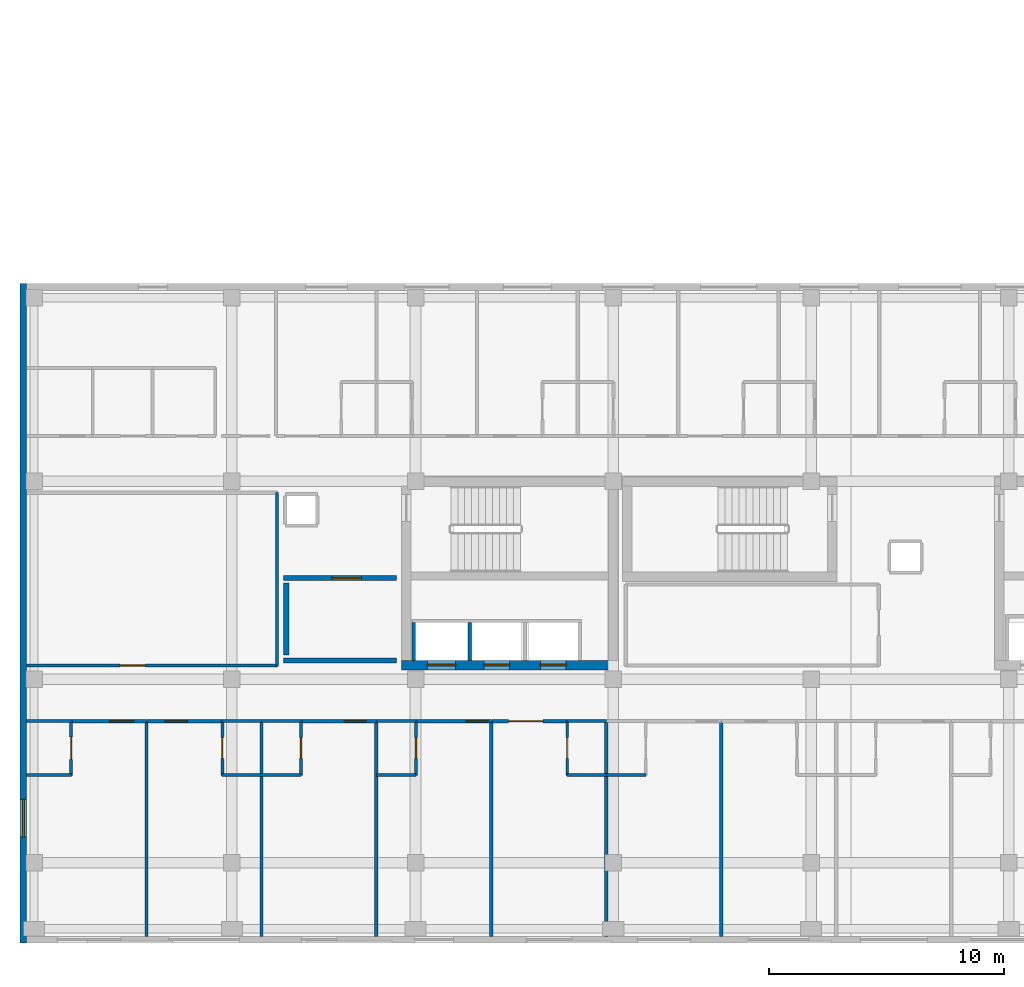
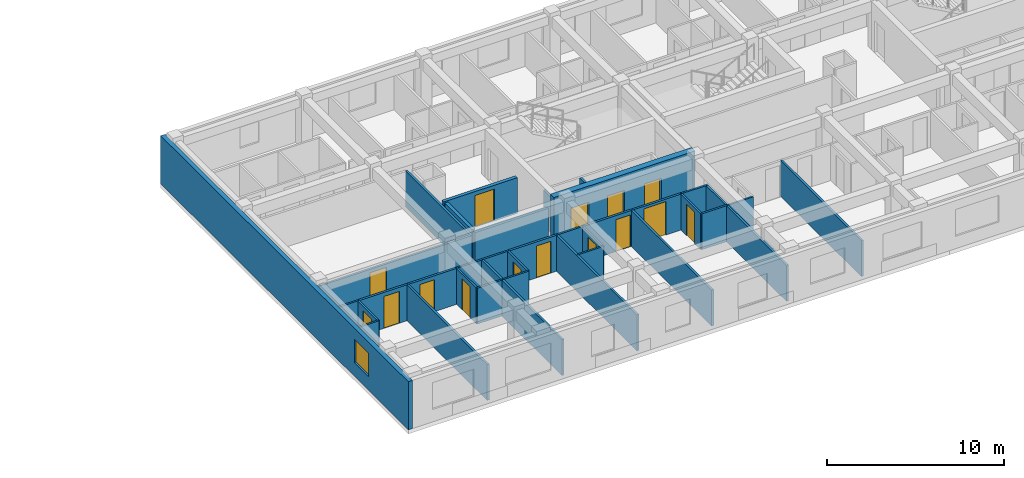
# One storey, part 131 of 144: 36 walls, 15 doors, 1 window, 16 openings.
"""IFC4 building model written with IfcOpenShell, lengths in metres."""

from ifc_helpers import new_model, si_unit, direction, frame, frame_2d, origin, place, context, subcontext, project, spatial, rectangle, extrude, material, layer, layer_set, type_object, element, fill, save


model = new_model("IFC4")

# Units and contexts
model_context = context("Model", 3, precision=1e-05, world=origin(), true_north=direction((0.0, 1.0)))
body_context = subcontext(model_context, "Body", "Model", "MODEL_VIEW")
ifc_project = project(units=[si_unit("LENGTHUNIT", "METRE"), si_unit("AREAUNIT", "SQUARE_METRE"), si_unit("VOLUMEUNIT", "CUBIC_METRE"), si_unit("PLANEANGLEUNIT", "RADIAN"), si_unit("MASSUNIT", "GRAM", prefix="KILO")], contexts=[model_context])

# Site, building, storey
site_placement = place(None, origin())
site = spatial("IfcSite", under=ifc_project, at=site_placement, CompositionType="ELEMENT")
building_placement = place(site_placement, origin())
building = spatial("IfcBuilding", under=site, at=building_placement, Name="Zayran Congress Hotel", CompositionType="ELEMENT")
storey_placement = place(building_placement, frame((0.0, 0.0, 19.199951171875)))
storey = spatial("IfcBuildingStorey", under=building, at=storey_placement, Name="L04", CompositionType="ELEMENT", Elevation=19.199951171875)

# Wall, opening, window
ifc_material_1 = material(Name="Hajar Ma'ani limestone cavity wall and concrete C32/40", Category="masonry")
ifc_layer_1 = layer(ifc_material_1, 0.280029296875)
ifc_layer_set_1 = layer_set([ifc_layer_1], Name="Hajar Ma'ani limestone cavity wall and concrete C32/40")
wall_type_1 = type_object("IfcWallType", Name="WL-EX-280", PredefinedType="SOLIDWALL", material=ifc_layer_set_1)
wall_1_placement = place(storey_placement, frame((8.5400390625, 6.0, 0.0), z_axis=(0.0, 0.0, 1.0), x_axis=(0.0, 1.0, 0.0)))
wall_1 = element("IfcWall", 1, at=wall_1_placement, inside=storey, type_object=wall_type_1, Name="EW-V5-W-L04", PredefinedType="SOLIDWALL", context=body_context, shape_type="SweptSolid", body=[
    extrude(rectangle(XDim=28.0, YDim=0.280029296875, at=frame_2d((14.0, 0.0))), origin(), (0.0, 0.0, 1.0), 3.320068359375),
])
opening_1_placement = place(wall_1_placement, frame((4.5, 0.0, 0.949951171875)))
opening_1 = element("IfcOpeningElement", 2, at=opening_1_placement, cuts=wall_1, Name="Opening WN-15", PredefinedType="OPENING", context=body_context, shape_type="SweptSolid", body=[
    extrude(rectangle(XDim=1.60009765625, YDim=1.60009765625, at=frame_2d((0.800048828125, 0.800048828125))), frame((0.0, 0.14990234375, 0.0), z_axis=(0.0, -1.0, 0.0), x_axis=(1.0, 0.0, 0.0)), (0.0, 0.0, 1.0), 0.300048828125),
])
ifc_material_2 = material(Name="Anodised aluminium and low-E insulated glass", Category="aluminium")
window_type = type_object("IfcWindowType", Name="TP-WN-15", PartitioningType="SINGLE_PANEL", PredefinedType="WINDOW", material=ifc_material_2)
window_placement = place(opening_1_placement, origin())
window = element("IfcWindow", 3, at=window_placement, inside=storey, type_object=window_type, Name="WIN-V5W-L04", OverallHeight=1.60009765625, OverallWidth=1.60009765625, PartitioningType="SINGLE_PANEL", PredefinedType="WINDOW", context=body_context, shape_type="SweptSolid", body=[
    extrude(rectangle(XDim=1.60009765625, YDim=1.60009765625, at=frame_2d((0.800048828125, 0.800048828125))), frame((0.0, 0.030029296875, 0.0), z_axis=(0.0, -1.0, 0.0), x_axis=(1.0, 0.0, 0.0)), (0.0, 0.0, 1.0), 0.06005859375),
])
fill(opening_1, window)

# Wall, openings, doors
ifc_material_3 = material(Name="Concrete C40/50", Category="concrete")
ifc_layer_2 = layer(ifc_material_3, 0.39990234375)
ifc_layer_set_2 = layer_set([ifc_layer_2], Name="Concrete C40/50")
wall_type_2 = type_object("IfcWallType", Name="WL-SH-400", PredefinedType="SHEAR", material=ifc_layer_set_2)
wall_2_placement = place(storey_placement, frame((24.60009765625, 17.800048828125, 0.0), z_axis=(0.0, 0.0, 1.0), x_axis=(1.0, 0.0, 0.0)))
wall_2 = element("IfcWall", 4, at=wall_2_placement, inside=storey, type_object=wall_type_2, Name="CWALL-C-V5W-L04-S", PredefinedType="SHEAR", context=body_context, shape_type="SweptSolid", body=[
    extrude(rectangle(XDim=9.199951171875, YDim=0.39990234375, at=frame_2d((4.60009765625, 0.0))), origin(), (0.0, 0.0, 1.0), 3.320068359375),
])
opening_2_placement = place(wall_2_placement, frame((1.10009765625, 0.0, 0.0)))
opening_2 = element("IfcOpeningElement", 5, at=opening_2_placement, cuts=wall_2, Name="Opening LD-FL01", PredefinedType="OPENING", context=body_context, shape_type="SweptSolid", body=[
    extrude(rectangle(XDim=1.199951171875, YDim=2.199951171875, at=frame_2d((0.60009765625, 1.10009765625))), frame((0.0, 0.2099609375, 0.0), z_axis=(0.0, -1.0, 0.0), x_axis=(1.0, 0.0, 0.0)), (0.0, 0.0, 1.0), 0.419921875),
])
opening_3_placement = place(wall_2_placement, frame((3.5, 0.0, 0.0)))
opening_3 = element("IfcOpeningElement", 6, at=opening_3_placement, cuts=wall_2, Name="Opening LD-PL01", PredefinedType="OPENING", context=body_context, shape_type="SweptSolid", body=[
    extrude(rectangle(XDim=1.10009765625, YDim=2.199951171875, at=frame_2d((0.550048828125, 1.10009765625))), frame((0.0, 0.2099609375, 0.0), z_axis=(0.0, -1.0, 0.0), x_axis=(1.0, 0.0, 0.0)), (0.0, 0.0, 1.0), 0.419921875),
])
opening_4_placement = place(wall_2_placement, frame((5.89990234375, 0.0, 0.0)))
opening_4 = element("IfcOpeningElement", 7, at=opening_4_placement, cuts=wall_2, Name="Opening LD-PL02", PredefinedType="OPENING", context=body_context, shape_type="SweptSolid", body=[
    extrude(rectangle(XDim=1.10009765625, YDim=2.199951171875, at=frame_2d((0.550048828125, 1.10009765625))), frame((0.0, 0.2099609375, 0.0), z_axis=(0.0, -1.0, 0.0), x_axis=(1.0, 0.0, 0.0)), (0.0, 0.0, 1.0), 0.419921875),
])
ifc_material_4 = material(Name="Brushed stainless steel sliding lift landing door", Category="steel")
door_type_1 = type_object("IfcDoorType", Name="TP-DR-LD-01", OperationType="DOUBLE_DOOR_SLIDING", PredefinedType="DOOR", material=ifc_material_4)
door_1_placement = place(opening_3_placement, origin())
door_1 = element("IfcDoor", 8, at=door_1_placement, inside=storey, type_object=door_type_1, Name="Lift PL-01 Sliding Landing Door L04", OperationType="DOUBLE_DOOR_SLIDING", OverallHeight=2.199951171875, OverallWidth=1.10009765625, PredefinedType="DOOR", context=body_context, shape_type="SweptSolid", body=[
    extrude(rectangle(XDim=1.10009765625, YDim=2.199951171875, at=frame_2d((0.550048828125, 1.10009765625))), frame((0.0, 0.02490234375, 0.0), z_axis=(0.0, -1.0, 0.0), x_axis=(1.0, 0.0, 0.0)), (0.0, 0.0, 1.0), 0.050048828125),
])
fill(opening_3, door_1)
door_2_placement = place(opening_4_placement, origin())
door_2 = element("IfcDoor", 9, at=door_2_placement, inside=storey, type_object=door_type_1, Name="Lift PL-02 Sliding Landing Door L04", OperationType="DOUBLE_DOOR_SLIDING", OverallHeight=2.199951171875, OverallWidth=1.10009765625, PredefinedType="DOOR", context=body_context, shape_type="SweptSolid", body=[
    extrude(rectangle(XDim=1.10009765625, YDim=2.199951171875, at=frame_2d((0.550048828125, 1.10009765625))), frame((0.0, 0.02490234375, 0.0), z_axis=(0.0, -1.0, 0.0), x_axis=(1.0, 0.0, 0.0)), (0.0, 0.0, 1.0), 0.050048828125),
])
fill(opening_4, door_2)
ifc_material_5 = material(Name="Brushed stainless steel firefighting lift landing door", Category="steel")
door_type_2 = type_object("IfcDoorType", Name="TP-DR-LD-02", OperationType="DOUBLE_DOOR_SLIDING", PredefinedType="DOOR", material=ifc_material_5)
door_3_placement = place(opening_2_placement, origin())
door_3 = element("IfcDoor", 10, at=door_3_placement, inside=storey, type_object=door_type_2, Name="Lift FL-01 Sliding Landing Door L04", OperationType="DOUBLE_DOOR_SLIDING", OverallHeight=2.199951171875, OverallWidth=1.199951171875, PredefinedType="DOOR", context=body_context, shape_type="SweptSolid", body=[
    extrude(rectangle(XDim=1.199951171875, YDim=2.199951171875, at=frame_2d((0.60009765625, 1.10009765625))), frame((0.0, 0.02490234375, 0.0), z_axis=(0.0, -1.0, 0.0), x_axis=(1.0, 0.0, 0.0)), (0.0, 0.0, 1.0), 0.050048828125),
])
fill(opening_2, door_3)

# Wall
ifc_material_6 = material(Name="Concrete C32/40 fire wall", Category="concrete")
ifc_layer_3 = layer(ifc_material_6, 0.219970703125)
ifc_layer_set_3 = layer_set([ifc_layer_3], Name="Concrete C32/40 fire wall")
wall_type_3 = type_object("IfcWallType", Name="WL-FF-220", PredefinedType="SOLIDWALL", material=ifc_layer_set_3)
wall_3_placement = place(storey_placement, frame((19.60009765625, 18.0, 0.0), z_axis=(0.0, 0.0, 1.0), x_axis=(1.0, 0.0, 0.0)))
element("IfcWall", 11, at=wall_3_placement, inside=storey, type_object=wall_type_3, Name="FFWL-C-V5W-L04-S", PredefinedType="SOLIDWALL", context=body_context, shape_type="SweptSolid", body=[
    extrude(rectangle(XDim=4.7998046875, YDim=0.219970703125, at=frame_2d((2.39990234375, 0.0))), origin(), (0.0, 0.0, 1.0), 2.469970703125),
])

# Wall, opening, door
wall_4_placement = place(storey_placement, frame((19.60009765625, 21.5, 0.0), z_axis=(0.0, 0.0, 1.0), x_axis=(1.0, 0.0, 0.0)))
wall_4 = element("IfcWall", 12, at=wall_4_placement, inside=storey, type_object=wall_type_3, Name="FFWL-C-V5W-L04-N", PredefinedType="SOLIDWALL", context=body_context, shape_type="SweptSolid", body=[
    extrude(rectangle(XDim=4.7998046875, YDim=0.219970703125, at=frame_2d((2.39990234375, 0.0))), origin(), (0.0, 0.0, 1.0), 2.469970703125),
])
opening_5_placement = place(wall_4_placement, frame((2.050048828125, 0.0, 0.0)))
opening_5 = element("IfcOpeningElement", 13, at=opening_5_placement, cuts=wall_4, Name="Opening DR-FF-60", PredefinedType="OPENING", context=body_context, shape_type="SweptSolid", body=[
    extrude(rectangle(XDim=1.25, YDim=2.199951171875, at=frame_2d((0.625, 1.10009765625))), frame((0.0, 0.119873046875, 0.0), z_axis=(0.0, -1.0, 0.0), x_axis=(1.0, 0.0, 0.0)), (0.0, 0.0, 1.0), 0.239990234375),
])
ifc_material_7 = material(Name="Painted steel smoke-seal fire door", Category="steel")
door_type_3 = type_object("IfcDoorType", Name="TP-DR-FF-60", OperationType="NOTDEFINED", PredefinedType="DOOR", material=ifc_material_7)
door_4_placement = place(opening_5_placement, origin())
door_4 = element("IfcDoor", 14, at=door_4_placement, inside=storey, type_object=door_type_3, Name="Firefighting Lift Lobby Door C-V5W L04", OperationType="SINGLE_SWING_RIGHT", OverallHeight=2.199951171875, OverallWidth=1.25, PredefinedType="DOOR", context=body_context, shape_type="SweptSolid", body=[
    extrude(rectangle(XDim=1.25, YDim=2.199951171875, at=frame_2d((0.625, 1.10009765625))), frame((0.0, 0.02490234375, 0.0), z_axis=(0.0, -1.0, 0.0), x_axis=(1.0, 0.0, 0.0)), (0.0, 0.0, 1.0), 0.050048828125),
])
fill(opening_5, door_4)

# Walls
wall_5_placement = place(storey_placement, frame((19.7099609375, 18.219970703125, 0.0), z_axis=(0.0, 0.0, 1.0), x_axis=(0.0, 1.0, 0.0)))
element("IfcWall", 15, at=wall_5_placement, inside=storey, type_object=wall_type_3, Name="FFWL-C-V5W-L04-SD", PredefinedType="SOLIDWALL", context=body_context, shape_type="SweptSolid", body=[
    extrude(rectangle(XDim=3.06005859375, YDim=0.219970703125, at=frame_2d((1.530029296875, 0.0))), origin(), (0.0, 0.0, 1.0), 2.469970703125),
])
ifc_material_8 = material(Name="Hospitality guestroom acoustic partition", Category="gypsum")
ifc_layer_4 = layer(ifc_material_8, 0.139892578125)
ifc_layer_set_4 = layer_set([ifc_layer_4], Name="Hospitality guestroom acoustic partition")
wall_type_4 = type_object("IfcWallType", Name="WL-PT-140", PredefinedType="PARTITIONING", material=ifc_layer_set_4)
for number, where, z_axis, x_axis, name in (
    (16, (25.1298828125, 18.0, 0.0), (0.0, 0.0, 1.0), (0.0, 1.0, 0.0), "LSHW-C-V5W-L04-W"),
    (17, (27.5, 18.0, 0.0), (0.0, 0.0, 1.0), (0.0, 1.0, 0.0), "LSHW-C-V5W-L04-DIV1"),
):
    element("IfcWall", number, at=place(storey_placement, frame(where, z_axis=z_axis, x_axis=x_axis)), inside=storey, type_object=wall_type_4, Name=name, PredefinedType="PARTITIONING", context=body_context, shape_type="SweptSolid", body=[
        extrude(rectangle(XDim=1.60009765625, YDim=0.139892578125, at=frame_2d((0.800048828125, 0.0))), origin(), (0.0, 0.0, 1.0), 2.469970703125),
    ])

# Wall, opening, door
wall_6_placement = place(storey_placement, frame((8.679931640625, 17.780029296875, 0.0), z_axis=(0.0, 0.0, 1.0), x_axis=(1.0, 0.0, 0.0)))
wall_6 = element("IfcWall", 18, at=wall_6_placement, inside=storey, type_object=wall_type_4, Name="IW-L04-0616", PredefinedType="PARTITIONING", context=body_context, shape_type="SweptSolid", body=[
    extrude(rectangle(XDim=10.650146484375, YDim=0.139892578125, at=frame_2d((5.3251953125, 0.0))), origin(), (0.0, 0.0, 1.0), 2.47998046875),
])
opening_6_placement = place(wall_6_placement, frame((3.969970703125, 0.0, 0.0)))
opening_6 = element("IfcOpeningElement", 19, at=opening_6_placement, cuts=wall_6, Name="Opening DR-MT-01", PredefinedType="OPENING", context=body_context, shape_type="SweptSolid", body=[
    extrude(rectangle(XDim=1.080078125, YDim=2.25, at=frame_2d((0.5400390625, 1.125))), frame((0.0, 0.079833984375, 0.0), z_axis=(0.0, -1.0, 0.0), x_axis=(1.0, 0.0, 0.0)), (0.0, 0.0, 1.0), 0.159912109375),
])
ifc_material_9 = material(Name="Acoustic timber seminar room door", Category="wood")
door_type_4 = type_object("IfcDoorType", Name="TP-DR-MT-01", OperationType="NOTDEFINED", PredefinedType="DOOR", material=ifc_material_9)
door_5_placement = place(opening_6_placement, origin())
door_5 = element("IfcDoor", 20, at=door_5_placement, inside=storey, type_object=door_type_4, Name="Delegate Study Salon West L04 Door", OperationType="SINGLE_SWING_LEFT", OverallHeight=2.25, OverallWidth=1.080078125, PredefinedType="DOOR", context=body_context, shape_type="SweptSolid", body=[
    extrude(rectangle(XDim=1.080078125, YDim=2.25, at=frame_2d((0.5400390625, 1.125))), frame((0.0, 0.02490234375, 0.0), z_axis=(0.0, -1.0, 0.0), x_axis=(1.0, 0.0, 0.0)), (0.0, 0.0, 1.0), 0.050048828125),
])
fill(opening_6, door_5)

wall_7_placement = place(storey_placement, frame((10.570068359375, 15.419921875, 0.0), z_axis=(0.0, 0.0, 1.0), x_axis=(1.0, 0.0, 0.0)))
wall_7 = element("IfcWall", 21, at=wall_7_placement, inside=storey, type_object=wall_type_4, Name="IW-L04-0618", PredefinedType="PARTITIONING", context=body_context, shape_type="SweptSolid", body=[
    extrude(rectangle(XDim=3.201904296875, YDim=0.139892578125, at=frame_2d((1.60107421875, 0.0))), origin(), (0.0, 0.0, 1.0), 2.47998046875),
])
opening_7_placement = place(wall_7_placement, frame((1.634033203125, 0.0, 0.0)))
opening_7 = element("IfcOpeningElement", 22, at=opening_7_placement, cuts=wall_7, Name="Opening DR-GR-02", PredefinedType="OPENING", context=body_context, shape_type="SweptSolid", body=[
    extrude(rectangle(XDim=1.02001953125, YDim=2.199951171875, at=frame_2d((0.510009765625, 1.10009765625))), frame((0.0, 0.079833984375, 0.0), z_axis=(0.0, -1.0, 0.0), x_axis=(1.0, 0.0, 0.0)), (0.0, 0.0, 1.0), 0.159912109375),
])
ifc_material_10 = material(Name="Accessible acoustic walnut veneer entry door", Category="wood")
door_type_5 = type_object("IfcDoorType", Name="TP-DR-GR-02", OperationType="NOTDEFINED", PredefinedType="DOOR", material=ifc_material_10)
door_6_placement = place(opening_7_placement, origin())
door_6 = element("IfcDoor", 23, at=door_6_placement, inside=storey, type_object=door_type_5, Name="Accessible Guest Room L04-01 Door", OperationType="SINGLE_SWING_LEFT", OverallHeight=2.199951171875, OverallWidth=1.02001953125, PredefinedType="DOOR", context=body_context, shape_type="SweptSolid", body=[
    extrude(rectangle(XDim=1.02001953125, YDim=2.199951171875, at=frame_2d((0.510009765625, 1.10009765625))), frame((0.0, 0.02490234375, 0.0), z_axis=(0.0, -1.0, 0.0), x_axis=(1.0, 0.0, 0.0)), (0.0, 0.0, 1.0), 0.050048828125),
])
fill(opening_7, door_6)

wall_8_placement = place(storey_placement, frame((13.7919921875, 15.419921875, 0.0), z_axis=(0.0, 0.0, 1.0), x_axis=(1.0, 0.0, 0.0)))
wall_8 = element("IfcWall", 24, at=wall_8_placement, inside=storey, type_object=wall_type_4, Name="IW-L04-0619", PredefinedType="PARTITIONING", context=body_context, shape_type="SweptSolid", body=[
    extrude(rectangle(XDim=3.203125, YDim=0.139892578125, at=frame_2d((1.6015625, 0.0))), origin(), (0.0, 0.0, 1.0), 2.47998046875),
])
opening_8_placement = place(wall_8_placement, frame((0.777099609375, 0.0, 0.0)))
opening_8 = element("IfcOpeningElement", 25, at=opening_8_placement, cuts=wall_8, Name="Opening DR-GR-01", PredefinedType="OPENING", context=body_context, shape_type="SweptSolid", body=[
    extrude(rectangle(XDim=0.93994140625, YDim=2.199951171875, at=frame_2d((0.469970703125, 1.10009765625))), frame((0.0, 0.079833984375, 0.0), z_axis=(0.0, -1.0, 0.0), x_axis=(1.0, 0.0, 0.0)), (0.0, 0.0, 1.0), 0.159912109375),
])
ifc_material_11 = material(Name="Acoustic walnut veneer fire-rated entry door", Category="wood")
door_type_6 = type_object("IfcDoorType", Name="TP-DR-GR-01", OperationType="NOTDEFINED", PredefinedType="DOOR", material=ifc_material_11)
door_7_placement = place(opening_8_placement, origin())
door_7 = element("IfcDoor", 26, at=door_7_placement, inside=storey, type_object=door_type_6, Name="Guest Room L04-02 Door", OperationType="SINGLE_SWING_RIGHT", OverallHeight=2.199951171875, OverallWidth=0.93994140625, PredefinedType="DOOR", context=body_context, shape_type="SweptSolid", body=[
    extrude(rectangle(XDim=0.93994140625, YDim=2.199951171875, at=frame_2d((0.469970703125, 1.10009765625))), frame((0.0, 0.02490234375, 0.0), z_axis=(0.0, -1.0, 0.0), x_axis=(1.0, 0.0, 0.0)), (0.0, 0.0, 1.0), 0.050048828125),
])
fill(opening_8, door_7)

wall_9_placement = place(storey_placement, frame((20.3349609375, 15.419921875, 0.0), z_axis=(0.0, 0.0, 1.0), x_axis=(1.0, 0.0, 0.0)))
wall_9 = element("IfcWall", 27, at=wall_9_placement, inside=storey, type_object=wall_type_4, Name="IW-L04-0620", PredefinedType="PARTITIONING", context=body_context, shape_type="SweptSolid", body=[
    extrude(rectangle(XDim=3.2021484375, YDim=0.139892578125, at=frame_2d((1.60107421875, 0.0))), origin(), (0.0, 0.0, 1.0), 2.47998046875),
])
opening_9_placement = place(wall_9_placement, frame((1.839111328125, 0.0, 0.0)))
opening_9 = element("IfcOpeningElement", 28, at=opening_9_placement, cuts=wall_9, Name="Opening DR-GR-01", PredefinedType="OPENING", context=body_context, shape_type="SweptSolid", body=[
    extrude(rectangle(XDim=0.93994140625, YDim=2.199951171875, at=frame_2d((0.469970703125, 1.10009765625))), frame((0.0, 0.079833984375, 0.0), z_axis=(0.0, -1.0, 0.0), x_axis=(1.0, 0.0, 0.0)), (0.0, 0.0, 1.0), 0.159912109375),
])
door_8_placement = place(opening_9_placement, origin())
door_8 = element("IfcDoor", 29, at=door_8_placement, inside=storey, type_object=door_type_6, Name="Guest Room L04-03 Door", OperationType="SINGLE_SWING_LEFT", OverallHeight=2.199951171875, OverallWidth=0.93994140625, PredefinedType="DOOR", context=body_context, shape_type="SweptSolid", body=[
    extrude(rectangle(XDim=0.93994140625, YDim=2.199951171875, at=frame_2d((0.469970703125, 1.10009765625))), frame((0.0, 0.02490234375, 0.0), z_axis=(0.0, -1.0, 0.0), x_axis=(1.0, 0.0, 0.0)), (0.0, 0.0, 1.0), 0.050048828125),
])
fill(opening_9, door_8)

wall_10_placement = place(storey_placement, frame((25.217041015625, 15.419921875, 0.0), z_axis=(0.0, 0.0, 1.0), x_axis=(1.0, 0.0, 0.0)))
wall_10 = element("IfcWall", 30, at=wall_10_placement, inside=storey, type_object=wall_type_4, Name="IW-L04-0621", PredefinedType="PARTITIONING", context=body_context, shape_type="SweptSolid", body=[
    extrude(rectangle(XDim=3.201904296875, YDim=0.139892578125, at=frame_2d((1.60107421875, 0.0))), origin(), (0.0, 0.0, 1.0), 2.47998046875),
])
opening_10_placement = place(wall_10_placement, frame((2.1220703125, 0.0, 0.0)))
opening_10 = element("IfcOpeningElement", 31, at=opening_10_placement, cuts=wall_10, Name="Opening DR-GR-01", PredefinedType="OPENING", context=body_context, shape_type="SweptSolid", body=[
    extrude(rectangle(XDim=0.93994140625, YDim=2.199951171875, at=frame_2d((0.469970703125, 1.10009765625))), frame((0.0, 0.079833984375, 0.0), z_axis=(0.0, -1.0, 0.0), x_axis=(1.0, 0.0, 0.0)), (0.0, 0.0, 1.0), 0.159912109375),
])
door_9_placement = place(opening_10_placement, origin())
door_9 = element("IfcDoor", 32, at=door_9_placement, inside=storey, type_object=door_type_6, Name="Guest Room L04-04 Door", OperationType="SINGLE_SWING_RIGHT", OverallHeight=2.199951171875, OverallWidth=0.93994140625, PredefinedType="DOOR", context=body_context, shape_type="SweptSolid", body=[
    extrude(rectangle(XDim=0.93994140625, YDim=2.199951171875, at=frame_2d((0.469970703125, 1.10009765625))), frame((0.0, 0.02490234375, 0.0), z_axis=(0.0, -1.0, 0.0), x_axis=(1.0, 0.0, 0.0)), (0.0, 0.0, 1.0), 0.050048828125),
])
fill(opening_10, door_9)

wall_11_placement = place(storey_placement, frame((28.43896484375, 15.419921875, 0.0), z_axis=(0.0, 0.0, 1.0), x_axis=(1.0, 0.0, 0.0)))
wall_11 = element("IfcWall", 33, at=wall_11_placement, inside=storey, type_object=wall_type_4, Name="IW-L04-0622", PredefinedType="PARTITIONING", context=body_context, shape_type="SweptSolid", body=[
    extrude(rectangle(XDim=3.203125, YDim=0.139892578125, at=frame_2d((1.6015625, 0.0))), origin(), (0.0, 0.0, 1.0), 2.47998046875),
])
opening_11_placement = place(wall_11_placement, frame((0.718994140625, 0.0, 0.0)))
opening_11 = element("IfcOpeningElement", 34, at=opening_11_placement, cuts=wall_11, Name="Opening DR-ST-01", PredefinedType="OPENING", context=body_context, shape_type="SweptSolid", body=[
    extrude(rectangle(XDim=1.449951171875, YDim=2.300048828125, at=frame_2d((0.72509765625, 1.14990234375))), frame((0.0, 0.079833984375, 0.0), z_axis=(0.0, -1.0, 0.0), x_axis=(1.0, 0.0, 0.0)), (0.0, 0.0, 1.0), 0.159912109375),
])
ifc_material_12 = material(Name="Double walnut veneer suite entry door", Category="wood")
door_type_7 = type_object("IfcDoorType", Name="TP-DR-ST-01", OperationType="DOUBLE_DOOR_SINGLE_SWING", PredefinedType="DOOR", material=ifc_material_12)
door_10_placement = place(opening_11_placement, origin())
door_10 = element("IfcDoor", 35, at=door_10_placement, inside=storey, type_object=door_type_7, Name="Junior Suite L04-05 Door", OperationType="DOUBLE_DOOR_SINGLE_SWING", OverallHeight=2.300048828125, OverallWidth=1.449951171875, PredefinedType="DOOR", context=body_context, shape_type="SweptSolid", body=[
    extrude(rectangle(XDim=1.449951171875, YDim=2.300048828125, at=frame_2d((0.72509765625, 1.14990234375))), frame((0.0, 0.02490234375, 0.0), z_axis=(0.0, -1.0, 0.0), x_axis=(1.0, 0.0, 0.0)), (0.0, 0.0, 1.0), 0.050048828125),
])
fill(opening_11, door_10)

# Walls
wall_12_placement = place(storey_placement, frame((19.320068359375, 17.77001953125, 0.0), z_axis=(0.0, 0.0, 1.0), x_axis=(0.0, 1.0, 0.0)))
element("IfcWall", 36, at=wall_12_placement, inside=storey, type_object=wall_type_4, Name="IW-L04-1941", PredefinedType="PARTITIONING", context=body_context, shape_type="SweptSolid", body=[
    extrude(rectangle(XDim=7.35986328125, YDim=0.139892578125, at=frame_2d((3.679931640625, 0.0))), origin(), (0.0, 0.0, 1.0), 2.47998046875),
])
for number, where, z_axis, x_axis, name in (
    (37, (13.77197265625, 6.280029296875, 0.0), (0.0, 0.0, 1.0), (0.0, 1.0, 0.0), "IW-L04-1944"),
    (38, (18.655029296875, 6.280029296875, 0.0), (0.0, 0.0, 1.0), (0.0, 1.0, 0.0), "IW-L04-1945"),
    (39, (23.537109375, 6.280029296875, 0.0), (0.0, 0.0, 1.0), (0.0, 1.0, 0.0), "IW-L04-1946"),
    (40, (28.4189453125, 6.280029296875, 0.0), (0.0, 0.0, 1.0), (0.0, 1.0, 0.0), "IW-L04-1947"),
    (41, (33.302001953125, 6.280029296875, 0.0), (0.0, 0.0, 1.0), (0.0, 1.0, 0.0), "IW-L04-1948"),
    (42, (38.18408203125, 6.280029296875, 0.0), (0.0, 0.0, 1.0), (0.0, 1.0, 0.0), "IW-L04-1949"),
):
    element("IfcWall", number, at=place(storey_placement, frame(where, z_axis=z_axis, x_axis=x_axis)), inside=storey, type_object=wall_type_4, Name=name, PredefinedType="PARTITIONING", context=body_context, shape_type="SweptSolid", body=[
        extrude(rectangle(XDim=9.14990234375, YDim=0.139892578125, at=frame_2d((4.574951171875, 0.0))), origin(), (0.0, 0.0, 1.0), 2.47998046875),
    ])

# Wall, opening, door
ifc_material_13 = material(Name="Moisture-resistant bathroom partition", Category="gypsum")
ifc_layer_5 = layer(ifc_material_13, 0.1201171875)
ifc_layer_set_5 = layer_set([ifc_layer_5], Name="Moisture-resistant bathroom partition")
wall_type_5 = type_object("IfcWallType", Name="WL-PT-120", PredefinedType="PARTITIONING", material=ifc_layer_set_5)
wall_13_placement = place(storey_placement, frame((10.570068359375, 13.1201171875, 0.0), z_axis=(0.0, 0.0, 1.0), x_axis=(0.0, 1.0, 0.0)))
wall_13 = element("IfcWall", 43, at=wall_13_placement, inside=storey, type_object=wall_type_5, Name="IW-L04-0127", PredefinedType="PARTITIONING", context=body_context, shape_type="SweptSolid", body=[
    extrude(rectangle(XDim=2.309814453125, YDim=0.1201171875, at=frame_2d((1.15478515625, 0.0))), origin(), (0.0, 0.0, 1.0), 2.47998046875),
])
opening_12_placement = place(wall_13_placement, frame((0.675048828125, 0.0, 0.0)))
opening_12 = element("IfcOpeningElement", 44, at=opening_12_placement, cuts=wall_13, Name="Opening DR-BT-02", PredefinedType="OPENING", context=body_context, shape_type="SweptSolid", body=[
    extrude(rectangle(XDim=0.9599609375, YDim=2.14990234375, at=frame_2d((0.47998046875, 1.074951171875))), frame((0.0, 0.070068359375, 0.0), z_axis=(0.0, -1.0, 0.0), x_axis=(1.0, 0.0, 0.0)), (0.0, 0.0, 1.0), 0.14013671875),
])
ifc_material_14 = material(Name="Accessible en-suite bathroom door", Category="steel")
door_type_8 = type_object("IfcDoorType", Name="TP-DR-BT-02", OperationType="NOTDEFINED", PredefinedType="DOOR", material=ifc_material_14)
door_11_placement = place(opening_12_placement, origin())
door_11 = element("IfcDoor", 45, at=door_11_placement, inside=storey, type_object=door_type_8, Name="En-Suite Bathroom L04-01 Door", OperationType="SINGLE_SWING_RIGHT", OverallHeight=2.14990234375, OverallWidth=0.9599609375, PredefinedType="DOOR", context=body_context, shape_type="SweptSolid", body=[
    extrude(rectangle(XDim=0.9599609375, YDim=2.14990234375, at=frame_2d((0.47998046875, 1.074951171875))), frame((0.0, 0.02490234375, 0.0), z_axis=(0.0, -1.0, 0.0), x_axis=(1.0, 0.0, 0.0)), (0.0, 0.0, 1.0), 0.050048828125),
])
fill(opening_12, door_11)

wall_14_placement = place(storey_placement, frame((16.9951171875, 13.1201171875, 0.0), z_axis=(0.0, 0.0, 1.0), x_axis=(0.0, 1.0, 0.0)))
wall_14 = element("IfcWall", 46, at=wall_14_placement, inside=storey, type_object=wall_type_5, Name="IW-L04-0128", PredefinedType="PARTITIONING", context=body_context, shape_type="SweptSolid", body=[
    extrude(rectangle(XDim=2.309814453125, YDim=0.1201171875, at=frame_2d((1.15478515625, 0.0))), origin(), (0.0, 0.0, 1.0), 2.47998046875),
])
opening_13_placement = place(wall_14_placement, frame((0.715087890625, 0.0, 0.0)))
opening_13 = element("IfcOpeningElement", 47, at=opening_13_placement, cuts=wall_14, Name="Opening DR-BT-01", PredefinedType="OPENING", context=body_context, shape_type="SweptSolid", body=[
    extrude(rectangle(XDim=0.8798828125, YDim=2.14990234375, at=frame_2d((0.43994140625, 1.074951171875))), frame((0.0, 0.070068359375, 0.0), z_axis=(0.0, -1.0, 0.0), x_axis=(1.0, 0.0, 0.0)), (0.0, 0.0, 1.0), 0.14013671875),
])
ifc_material_15 = material(Name="Moisture-resistant oak en-suite door", Category="wood")
door_type_9 = type_object("IfcDoorType", Name="TP-DR-BT-01", OperationType="NOTDEFINED", PredefinedType="DOOR", material=ifc_material_15)
door_12_placement = place(opening_13_placement, origin())
door_12 = element("IfcDoor", 48, at=door_12_placement, inside=storey, type_object=door_type_9, Name="En-Suite Bathroom L04-02 Door", OperationType="SINGLE_SWING_LEFT", OverallHeight=2.14990234375, OverallWidth=0.8798828125, PredefinedType="DOOR", context=body_context, shape_type="SweptSolid", body=[
    extrude(rectangle(XDim=0.8798828125, YDim=2.14990234375, at=frame_2d((0.43994140625, 1.074951171875))), frame((0.0, 0.02490234375, 0.0), z_axis=(0.0, -1.0, 0.0), x_axis=(1.0, 0.0, 0.0)), (0.0, 0.0, 1.0), 0.050048828125),
])
fill(opening_13, door_12)

wall_15_placement = place(storey_placement, frame((20.3349609375, 13.1201171875, 0.0), z_axis=(0.0, 0.0, 1.0), x_axis=(0.0, 1.0, 0.0)))
wall_15 = element("IfcWall", 49, at=wall_15_placement, inside=storey, type_object=wall_type_5, Name="IW-L04-0129", PredefinedType="PARTITIONING", context=body_context, shape_type="SweptSolid", body=[
    extrude(rectangle(XDim=2.309814453125, YDim=0.1201171875, at=frame_2d((1.15478515625, 0.0))), origin(), (0.0, 0.0, 1.0), 2.47998046875),
])
opening_14_placement = place(wall_15_placement, frame((0.715087890625, 0.0, 0.0)))
opening_14 = element("IfcOpeningElement", 50, at=opening_14_placement, cuts=wall_15, Name="Opening DR-BT-01", PredefinedType="OPENING", context=body_context, shape_type="SweptSolid", body=[
    extrude(rectangle(XDim=0.8798828125, YDim=2.14990234375, at=frame_2d((0.43994140625, 1.074951171875))), frame((0.0, 0.070068359375, 0.0), z_axis=(0.0, -1.0, 0.0), x_axis=(1.0, 0.0, 0.0)), (0.0, 0.0, 1.0), 0.14013671875),
])
door_13_placement = place(opening_14_placement, origin())
door_13 = element("IfcDoor", 51, at=door_13_placement, inside=storey, type_object=door_type_9, Name="En-Suite Bathroom L04-03 Door", OperationType="SINGLE_SWING_RIGHT", OverallHeight=2.14990234375, OverallWidth=0.8798828125, PredefinedType="DOOR", context=body_context, shape_type="SweptSolid", body=[
    extrude(rectangle(XDim=0.8798828125, YDim=2.14990234375, at=frame_2d((0.43994140625, 1.074951171875))), frame((0.0, 0.02490234375, 0.0), z_axis=(0.0, -1.0, 0.0), x_axis=(1.0, 0.0, 0.0)), (0.0, 0.0, 1.0), 0.050048828125),
])
fill(opening_14, door_13)

wall_16_placement = place(storey_placement, frame((25.217041015625, 13.1201171875, 0.0), z_axis=(0.0, 0.0, 1.0), x_axis=(0.0, 1.0, 0.0)))
wall_16 = element("IfcWall", 52, at=wall_16_placement, inside=storey, type_object=wall_type_5, Name="IW-L04-0130", PredefinedType="PARTITIONING", context=body_context, shape_type="SweptSolid", body=[
    extrude(rectangle(XDim=2.309814453125, YDim=0.1201171875, at=frame_2d((1.15478515625, 0.0))), origin(), (0.0, 0.0, 1.0), 2.47998046875),
])
opening_15_placement = place(wall_16_placement, frame((0.715087890625, 0.0, 0.0)))
opening_15 = element("IfcOpeningElement", 53, at=opening_15_placement, cuts=wall_16, Name="Opening DR-BT-01", PredefinedType="OPENING", context=body_context, shape_type="SweptSolid", body=[
    extrude(rectangle(XDim=0.8798828125, YDim=2.14990234375, at=frame_2d((0.43994140625, 1.074951171875))), frame((0.0, 0.070068359375, 0.0), z_axis=(0.0, -1.0, 0.0), x_axis=(1.0, 0.0, 0.0)), (0.0, 0.0, 1.0), 0.14013671875),
])
door_14_placement = place(opening_15_placement, origin())
door_14 = element("IfcDoor", 54, at=door_14_placement, inside=storey, type_object=door_type_9, Name="En-Suite Bathroom L04-04 Door", OperationType="SINGLE_SWING_LEFT", OverallHeight=2.14990234375, OverallWidth=0.8798828125, PredefinedType="DOOR", context=body_context, shape_type="SweptSolid", body=[
    extrude(rectangle(XDim=0.8798828125, YDim=2.14990234375, at=frame_2d((0.43994140625, 1.074951171875))), frame((0.0, 0.02490234375, 0.0), z_axis=(0.0, -1.0, 0.0), x_axis=(1.0, 0.0, 0.0)), (0.0, 0.0, 1.0), 0.050048828125),
])
fill(opening_15, door_14)

wall_17_placement = place(storey_placement, frame((31.64208984375, 13.1201171875, 0.0), z_axis=(0.0, 0.0, 1.0), x_axis=(0.0, 1.0, 0.0)))
wall_17 = element("IfcWall", 55, at=wall_17_placement, inside=storey, type_object=wall_type_5, Name="IW-L04-0131", PredefinedType="PARTITIONING", context=body_context, shape_type="SweptSolid", body=[
    extrude(rectangle(XDim=2.309814453125, YDim=0.1201171875, at=frame_2d((1.15478515625, 0.0))), origin(), (0.0, 0.0, 1.0), 2.47998046875),
])
opening_16_placement = place(wall_17_placement, frame((0.715087890625, 0.0, 0.0)))
opening_16 = element("IfcOpeningElement", 56, at=opening_16_placement, cuts=wall_17, Name="Opening DR-BT-01", PredefinedType="OPENING", context=body_context, shape_type="SweptSolid", body=[
    extrude(rectangle(XDim=0.8798828125, YDim=2.14990234375, at=frame_2d((0.43994140625, 1.074951171875))), frame((0.0, 0.070068359375, 0.0), z_axis=(0.0, -1.0, 0.0), x_axis=(1.0, 0.0, 0.0)), (0.0, 0.0, 1.0), 0.14013671875),
])
door_15_placement = place(opening_16_placement, origin())
door_15 = element("IfcDoor", 57, at=door_15_placement, inside=storey, type_object=door_type_9, Name="En-Suite Bathroom L04-05 Door", OperationType="SINGLE_SWING_RIGHT", OverallHeight=2.14990234375, OverallWidth=0.8798828125, PredefinedType="DOOR", context=body_context, shape_type="SweptSolid", body=[
    extrude(rectangle(XDim=0.8798828125, YDim=2.14990234375, at=frame_2d((0.43994140625, 1.074951171875))), frame((0.0, 0.02490234375, 0.0), z_axis=(0.0, -1.0, 0.0), x_axis=(1.0, 0.0, 0.0)), (0.0, 0.0, 1.0), 0.050048828125),
])
fill(opening_16, door_15)

# Walls
for number, where, z_axis, x_axis, name in (
    (58, (8.679931640625, 13.1298828125, 0.0), (0.0, 0.0, 1.0), (1.0, 0.0, 0.0), "IW-L04-1121"),
    (59, (8.679931640625, 15.419921875, 0.0), (0.0, 0.0, 1.0), (1.0, 0.0, 0.0), "IW-L04-1122"),
):
    element("IfcWall", number, at=place(storey_placement, frame(where, z_axis=z_axis, x_axis=x_axis)), inside=storey, type_object=wall_type_5, Name=name, PredefinedType="PARTITIONING", context=body_context, shape_type="SweptSolid", body=[
        extrude(rectangle(XDim=1.900146484375, YDim=0.1201171875, at=frame_2d((0.9501953125, 0.0))), origin(), (0.0, 0.0, 1.0), 2.47998046875),
    ])
for number, where, z_axis, x_axis, name in (
    (60, (16.985107421875, 13.1298828125, 0.0), (0.0, 0.0, 1.0), (1.0, 0.0, 0.0), "IW-L04-1123"),
    (61, (16.985107421875, 15.419921875, 0.0), (0.0, 0.0, 1.0), (1.0, 0.0, 0.0), "IW-L04-1124"),
    (62, (18.6650390625, 13.1298828125, 0.0), (0.0, 0.0, 1.0), (1.0, 0.0, 0.0), "IW-L04-1125"),
    (63, (18.6650390625, 15.419921875, 0.0), (0.0, 0.0, 1.0), (1.0, 0.0, 0.0), "IW-L04-1126"),
    (64, (23.547119140625, 13.1298828125, 0.0), (0.0, 0.0, 1.0), (1.0, 0.0, 0.0), "IW-L04-1127"),
    (65, (23.547119140625, 15.419921875, 0.0), (0.0, 0.0, 1.0), (1.0, 0.0, 0.0), "IW-L04-1128"),
    (66, (31.632080078125, 13.1298828125, 0.0), (0.0, 0.0, 1.0), (1.0, 0.0, 0.0), "IW-L04-1129"),
    (67, (31.632080078125, 15.419921875, 0.0), (0.0, 0.0, 1.0), (1.0, 0.0, 0.0), "IW-L04-1130"),
    (68, (33.31201171875, 13.1298828125, 0.0), (0.0, 0.0, 1.0), (1.0, 0.0, 0.0), "IW-L04-1131"),
):
    element("IfcWall", number, at=place(storey_placement, frame(where, z_axis=z_axis, x_axis=x_axis)), inside=storey, type_object=wall_type_5, Name=name, PredefinedType="PARTITIONING", context=body_context, shape_type="SweptSolid", body=[
        extrude(rectangle(XDim=1.679931640625, YDim=0.1201171875, at=frame_2d((0.83984375, 0.0))), origin(), (0.0, 0.0, 1.0), 2.47998046875),
    ])

save(model, "model.ifc")
